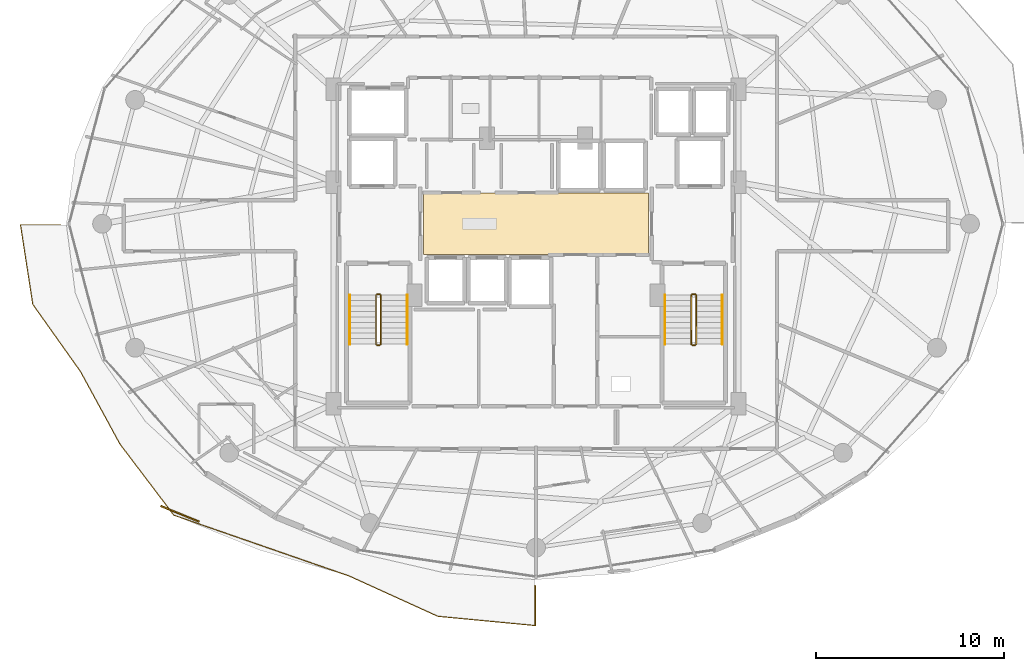
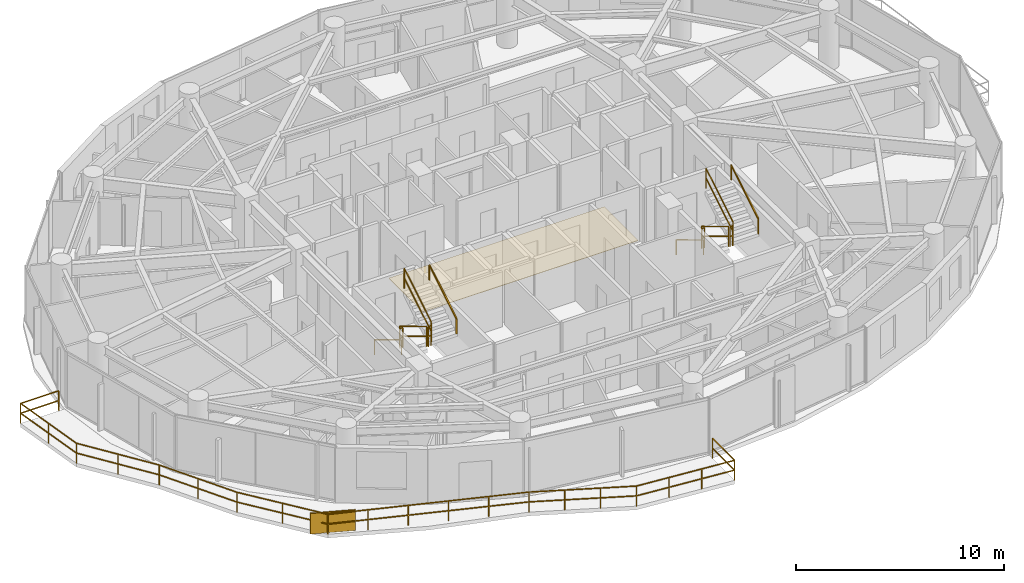
# One storey, part 26 of 28: 14 railings, 1 covering, 1 shading device.
"""IFC4 building model written with IfcOpenShell, lengths in metres."""

from ifc_helpers import new_model, si_unit, direction, frame, origin, origin_2d, place, context, subcontext, project, spatial, polyline, rectangle, outline, extrude, material, layer, layer_set, type_object, element, save


model = new_model("IFC4")

# Units and contexts
model_context = context("Model", 3, precision=1e-05, world=origin(), true_north=direction((0.0, 1.0)))
body_context = subcontext(model_context, "Body", "Model", "MODEL_VIEW")
ifc_project = project(units=[si_unit("LENGTHUNIT", "METRE"), si_unit("AREAUNIT", "SQUARE_METRE"), si_unit("VOLUMEUNIT", "CUBIC_METRE"), si_unit("PLANEANGLEUNIT", "RADIAN"), si_unit("MASSUNIT", "GRAM", prefix="KILO")], contexts=[model_context])

# Site, building, storey
site_placement = place(None, origin())
site = spatial("IfcSite", under=ifc_project, at=site_placement, CompositionType="ELEMENT")
building_placement = place(site_placement, origin())
building = spatial("IfcBuilding", under=site, at=building_placement, Name="Vorneva Point Tower", CompositionType="ELEMENT")
storey_placement = place(building_placement, frame((0.0, 0.0, 160.60009765625)))
storey = spatial("IfcBuildingStorey", under=building, at=storey_placement, Name="L43", CompositionType="ELEMENT", Elevation=160.60009765625)

# Covering
ifc_material_1 = material(Name="Acoustic wool hospitality carpet", Category="textile")
ifc_layer = layer(ifc_material_1, 0.01806640625)
ifc_layer_set = layer_set([ifc_layer], Name="Acoustic wool hospitality carpet")
covering_type = type_object("IfcCoveringType", Name="COV-FLR-CRP", PredefinedType="FLOORING", material=ifc_layer_set)
covering_placement = place(storey_placement, frame((0.0, 0.0, -0.005126953125)))
element("IfcCovering", 1, at=covering_placement, inside=storey, type_object=covering_type, Name="L43 Lift Lobby Floor Finish", PredefinedType="FLOORING", context=body_context, shape_type="SweptSolid", body=[
    extrude(outline(polyline([(32.02001953125, 24.3701171875), (43.97998046875, 24.3701171875), (43.97998046875, 27.6298828125), (32.02001953125, 27.6298828125), (32.02001953125, 24.3701171875)])), origin(), (0.0, 0.0, 1.0), 0.02294921875),
])

# Railings
ifc_material_2 = material(Name="Pale anodised aluminium", Category="aluminium")
railing_type_1 = type_object("IfcRailingType", Name="RL-BAL-1200", PredefinedType="BALUSTRADE", material=ifc_material_2)
railing_1_placement = place(storey_placement, frame((37.949951171875, 4.65966796875, 0.0)))
element("IfcRailing", 2, at=railing_1_placement, inside=storey, type_object=railing_type_1, Name="L43 Wave Balcony Balustrade SW.1", PredefinedType="BALUSTRADE", context=body_context, shape_type="SweptSolid", body=[
    extrude(rectangle(XDim=0.048095703125, YDim=0.048095703125, at=origin_2d()), frame((0.0, 0.0, 1.17578125), z_axis=(0.0, 1.0, 0.0), x_axis=(-1.0, 0.0, 0.0)), (0.0, 0.0, 1.0), 2.123046875),
    extrude(rectangle(XDim=0.048095703125, YDim=0.048095703125, at=origin_2d()), frame((0.0, 0.0, 0.60009765625), z_axis=(0.0, 1.0, 0.0), x_axis=(-1.0, 0.0, 0.0)), (0.0, 0.0, 1.0), 2.123046875),
    extrude(rectangle(XDim=0.0419921875, YDim=0.0419921875, at=origin_2d()), origin(), (0.0, 0.0, 1.0), 1.15185546875),
    extrude(rectangle(XDim=0.0419921875, YDim=0.0419921875, at=origin_2d()), frame((0.0, 2.123046875, 0.0)), (0.0, 0.0, 1.0), 1.15185546875),
])
railing_2_placement = place(storey_placement, frame((12.73388671875, 25.949951171875, 0.0)))
element("IfcRailing", 3, at=railing_2_placement, inside=storey, type_object=railing_type_1, Name="L43 Wave Balcony Balustrade SW.2", PredefinedType="BALUSTRADE", context=body_context, shape_type="SweptSolid", body=[
    extrude(rectangle(XDim=0.048095703125, YDim=0.048095703125, at=origin_2d()), frame((0.0, 0.0, 1.17578125), z_axis=(-1.0, 0.0, 0.0), x_axis=(0.0, -1.0, 0.0)), (0.0, 0.0, 1.0), 2.12109375),
    extrude(rectangle(XDim=0.048095703125, YDim=0.048095703125, at=origin_2d()), frame((0.0, 0.0, 0.60009765625), z_axis=(-1.0, 0.0, 0.0), x_axis=(0.0, -1.0, 0.0)), (0.0, 0.0, 1.0), 2.12109375),
    extrude(rectangle(XDim=0.048095703125, YDim=0.048095703125, at=origin_2d()), frame((-2.12109375, 0.0, 1.17578125), z_axis=(0.152819853891, -0.988254062606, 0.0), x_axis=(0.988254062606, 0.152819853891, 0.0)), (0.0, 0.0, 1.0), 4.281494140625),
    extrude(rectangle(XDim=0.048095703125, YDim=0.048095703125, at=origin_2d()), frame((-2.12109375, 0.0, 0.60009765625), z_axis=(0.152819853891, -0.988254062606, 0.0), x_axis=(0.988254062606, 0.152819853891, 0.0)), (0.0, 0.0, 1.0), 4.281494140625),
    extrude(rectangle(XDim=0.048095703125, YDim=0.048095703125, at=origin_2d()), frame((-1.466796875, -4.231201171875, 1.17578125), z_axis=(0.578792383577, -0.815474939354, 0.0), x_axis=(0.815474939354, 0.578792383577, 0.0)), (0.0, 0.0, 1.0), 4.385986328125),
    extrude(rectangle(XDim=0.048095703125, YDim=0.048095703125, at=origin_2d()), frame((-1.466796875, -4.231201171875, 0.60009765625), z_axis=(0.578792383577, -0.815474939354, 0.0), x_axis=(0.815474939354, 0.578792383577, 0.0)), (0.0, 0.0, 1.0), 4.385986328125),
    extrude(rectangle(XDim=0.048095703125, YDim=0.048095703125, at=origin_2d()), frame((1.07177734375, -7.807861328125, 1.17578125), z_axis=(0.47774095838, -0.878500755086, 0.0), x_axis=(0.878500755086, 0.47774095838, 0.0)), (0.0, 0.0, 1.0), 4.373291015625),
    extrude(rectangle(XDim=0.048095703125, YDim=0.048095703125, at=origin_2d()), frame((1.07177734375, -7.807861328125, 0.60009765625), z_axis=(0.47774095838, -0.878500755086, 0.0), x_axis=(0.878500755086, 0.47774095838, 0.0)), (0.0, 0.0, 1.0), 4.373291015625),
    extrude(rectangle(XDim=0.048095703125, YDim=0.048095703125, at=origin_2d()), frame((3.1611328125, -11.64990234375, 1.17578125), z_axis=(0.604031248899, -0.796960632876, 0.0), x_axis=(0.796960632876, 0.604031248899, 0.0)), (0.0, 0.0, 1.0), 4.739013671875),
    extrude(rectangle(XDim=0.048095703125, YDim=0.048095703125, at=origin_2d()), frame((3.1611328125, -11.64990234375, 0.60009765625), z_axis=(0.604031248899, -0.796960632876, 0.0), x_axis=(0.796960632876, 0.604031248899, 0.0)), (0.0, 0.0, 1.0), 4.739013671875),
    extrude(rectangle(XDim=0.048095703125, YDim=0.048095703125, at=origin_2d()), frame((6.023681640625, -15.4267578125, 1.17578125), z_axis=(0.944758021877, -0.327768638064, 0.0), x_axis=(0.327768638064, 0.944758021877, 0.0)), (0.0, 0.0, 1.0), 9.848388671875),
    extrude(rectangle(XDim=0.048095703125, YDim=0.048095703125, at=origin_2d()), frame((6.023681640625, -15.4267578125, 0.60009765625), z_axis=(0.944758021877, -0.327768638064, 0.0), x_axis=(0.327768638064, 0.944758021877, 0.0)), (0.0, 0.0, 1.0), 9.848388671875),
    extrude(rectangle(XDim=0.048095703125, YDim=0.048095703125, at=origin_2d()), frame((15.328125, -18.65478515625, 1.17578125), z_axis=(0.910479294849, -0.413554656184, 0.0), x_axis=(0.413554656184, 0.910479294849, 0.0)), (0.0, 0.0, 1.0), 5.186279296875),
    extrude(rectangle(XDim=0.048095703125, YDim=0.048095703125, at=origin_2d()), frame((15.328125, -18.65478515625, 0.60009765625), z_axis=(0.910479294849, -0.413554656184, 0.0), x_axis=(0.413554656184, 0.910479294849, 0.0)), (0.0, 0.0, 1.0), 5.186279296875),
    extrude(rectangle(XDim=0.048095703125, YDim=0.048095703125, at=origin_2d()), frame((20.050048828125, -20.799560546875, 1.17578125), z_axis=(0.995518701925, -0.094564867243, 0.0), x_axis=(0.094564867243, 0.995518701925, 0.0)), (0.0, 0.0, 1.0), 5.189208984375),
    extrude(rectangle(XDim=0.048095703125, YDim=0.048095703125, at=origin_2d()), frame((20.050048828125, -20.799560546875, 0.60009765625), z_axis=(0.995518701925, -0.094564867243, 0.0), x_axis=(0.094564867243, 0.995518701925, 0.0)), (0.0, 0.0, 1.0), 5.189208984375),
    extrude(rectangle(XDim=0.0419921875, YDim=0.0419921875, at=origin_2d()), origin(), (0.0, 0.0, 1.0), 1.15185546875),
    extrude(rectangle(XDim=0.0419921875, YDim=0.0419921875, at=origin_2d()), frame((-2.12109375, 0.0, 0.0)), (0.0, 0.0, 1.0), 1.15185546875),
    extrude(rectangle(XDim=0.0419921875, YDim=0.0419921875, at=origin_2d()), frame((-1.7939453125, -2.11572265625, 0.0)), (0.0, 0.0, 1.0), 1.15185546875),
    extrude(rectangle(XDim=0.0419921875, YDim=0.0419921875, at=origin_2d()), frame((-1.466796875, -4.231201171875, 0.0)), (0.0, 0.0, 1.0), 1.15185546875),
    extrude(rectangle(XDim=0.0419921875, YDim=0.0419921875, at=origin_2d()), frame((-0.197509765625, -6.01953125, 0.0)), (0.0, 0.0, 1.0), 1.15185546875),
    extrude(rectangle(XDim=0.0419921875, YDim=0.0419921875, at=origin_2d()), frame((1.07177734375, -7.807861328125, 0.0)), (0.0, 0.0, 1.0), 1.15185546875),
    extrude(rectangle(XDim=0.0419921875, YDim=0.0419921875, at=origin_2d()), frame((2.116455078125, -9.72900390625, 0.0)), (0.0, 0.0, 1.0), 1.15185546875),
    extrude(rectangle(XDim=0.0419921875, YDim=0.0419921875, at=origin_2d()), frame((3.1611328125, -11.64990234375, 0.0)), (0.0, 0.0, 1.0), 1.15185546875),
    extrude(rectangle(XDim=0.0419921875, YDim=0.0419921875, at=origin_2d()), frame((4.59228515625, -13.538330078125, 0.0)), (0.0, 0.0, 1.0), 1.15185546875),
    extrude(rectangle(XDim=0.0419921875, YDim=0.0419921875, at=origin_2d()), frame((6.023681640625, -15.4267578125, 0.0)), (0.0, 0.0, 1.0), 1.15185546875),
    extrude(rectangle(XDim=0.0419921875, YDim=0.0419921875, at=origin_2d()), frame((7.884521484375, -16.072265625, 0.0)), (0.0, 0.0, 1.0), 1.15185546875),
    extrude(rectangle(XDim=0.0419921875, YDim=0.0419921875, at=origin_2d()), frame((9.745361328125, -16.718017578125, 0.0)), (0.0, 0.0, 1.0), 1.15185546875),
    extrude(rectangle(XDim=0.0419921875, YDim=0.0419921875, at=origin_2d()), frame((11.6064453125, -17.363525390625, 0.0)), (0.0, 0.0, 1.0), 1.15185546875),
    extrude(rectangle(XDim=0.0419921875, YDim=0.0419921875, at=origin_2d()), frame((13.46728515625, -18.00927734375, 0.0)), (0.0, 0.0, 1.0), 1.15185546875),
    extrude(rectangle(XDim=0.0419921875, YDim=0.0419921875, at=origin_2d()), frame((15.328125, -18.65478515625, 0.0)), (0.0, 0.0, 1.0), 1.15185546875),
    extrude(rectangle(XDim=0.0419921875, YDim=0.0419921875, at=origin_2d()), frame((16.902099609375, -19.36962890625, 0.0)), (0.0, 0.0, 1.0), 1.15185546875),
    extrude(rectangle(XDim=0.0419921875, YDim=0.0419921875, at=origin_2d()), frame((18.47607421875, -20.084716796875, 0.0)), (0.0, 0.0, 1.0), 1.15185546875),
    extrude(rectangle(XDim=0.0419921875, YDim=0.0419921875, at=origin_2d()), frame((20.050048828125, -20.799560546875, 0.0)), (0.0, 0.0, 1.0), 1.15185546875),
    extrude(rectangle(XDim=0.0419921875, YDim=0.0419921875, at=origin_2d()), frame((21.77197265625, -20.963134765625, 0.0)), (0.0, 0.0, 1.0), 1.15185546875),
    extrude(rectangle(XDim=0.0419921875, YDim=0.0419921875, at=origin_2d()), frame((23.494140625, -21.126708984375, 0.0)), (0.0, 0.0, 1.0), 1.15185546875),
    extrude(rectangle(XDim=0.0419921875, YDim=0.0419921875, at=origin_2d()), frame((25.216064453125, -21.290283203125, 0.0)), (0.0, 0.0, 1.0), 1.15185546875),
])
ifc_material_3 = material(Name="Brushed stainless steel S304", Category="steel")
railing_type_2 = type_object("IfcRailingType", Name="RL-HND-920", PredefinedType="HANDRAIL", material=ifc_material_3)
railing_3_placement = place(storey_placement, frame((28.10009765625, 22.219970703125, 0.1748046875)))
element("IfcRailing", 4, at=railing_3_placement, inside=storey, type_object=railing_type_2, Name="L43 ST1 stair handrail 1", PredefinedType="HANDRAIL", context=body_context, shape_type="SweptSolid", body=[
    extrude(rectangle(XDim=0.048095703125, YDim=0.048095703125, at=origin_2d()), frame((0.0, 0.0, 0.8759765625), z_axis=(0.0, -0.856147343639, 0.516731773728), x_axis=(1.0, 0.0, 0.0)), (0.0, 0.0, 1.0), 3.04833984375),
    extrude(rectangle(XDim=0.0419921875, YDim=0.0419921875, at=origin_2d()), origin(), (0.0, 0.0, 1.0), 0.851806640625),
    extrude(rectangle(XDim=0.0419921875, YDim=0.0419921875, at=origin_2d()), frame((0.0, -2.60986328125, 1.5751953125)), (0.0, 0.0, 1.0), 0.851806640625),
])
railing_4_placement = place(storey_placement, frame((31.14990234375, 19.610107421875, 1.9248046875)))
element("IfcRailing", 5, at=railing_4_placement, inside=storey, type_object=railing_type_2, Name="L43 ST1 stair handrail 2", PredefinedType="HANDRAIL", context=body_context, shape_type="SweptSolid", body=[
    extrude(rectangle(XDim=0.048095703125, YDim=0.048095703125, at=origin_2d()), frame((0.0, 0.0, 0.8759765625), z_axis=(0.0, 0.856147343639, 0.516731773728), x_axis=(-1.0, 0.0, 0.0)), (0.0, 0.0, 1.0), 3.04833984375),
    extrude(rectangle(XDim=0.0419921875, YDim=0.0419921875, at=origin_2d()), origin(), (0.0, 0.0, 1.0), 0.851806640625),
    extrude(rectangle(XDim=0.0419921875, YDim=0.0419921875, at=origin_2d()), frame((0.0, 2.60986328125, 1.5751953125)), (0.0, 0.0, 1.0), 0.851806640625),
])
railing_5_placement = place(storey_placement, frame((44.85009765625, 22.219970703125, 0.1748046875)))
element("IfcRailing", 6, at=railing_5_placement, inside=storey, type_object=railing_type_2, Name="L43 ST2 stair handrail 1", PredefinedType="HANDRAIL", context=body_context, shape_type="SweptSolid", body=[
    extrude(rectangle(XDim=0.048095703125, YDim=0.048095703125, at=origin_2d()), frame((0.0, 0.0, 0.8759765625), z_axis=(0.0, -0.856147343639, 0.516731773728), x_axis=(1.0, 0.0, 0.0)), (0.0, 0.0, 1.0), 3.04833984375),
    extrude(rectangle(XDim=0.0419921875, YDim=0.0419921875, at=origin_2d()), origin(), (0.0, 0.0, 1.0), 0.851806640625),
    extrude(rectangle(XDim=0.0419921875, YDim=0.0419921875, at=origin_2d()), frame((0.0, -2.60986328125, 1.5751953125)), (0.0, 0.0, 1.0), 0.851806640625),
])
railing_6_placement = place(storey_placement, frame((47.89990234375, 19.610107421875, 1.9248046875)))
element("IfcRailing", 7, at=railing_6_placement, inside=storey, type_object=railing_type_2, Name="L43 ST2 stair handrail 2", PredefinedType="HANDRAIL", context=body_context, shape_type="SweptSolid", body=[
    extrude(rectangle(XDim=0.048095703125, YDim=0.048095703125, at=origin_2d()), frame((0.0, 0.0, 0.8759765625), z_axis=(0.0, 0.856147343639, 0.516731773728), x_axis=(-1.0, 0.0, 0.0)), (0.0, 0.0, 1.0), 3.04833984375),
    extrude(rectangle(XDim=0.0419921875, YDim=0.0419921875, at=origin_2d()), origin(), (0.0, 0.0, 1.0), 0.851806640625),
    extrude(rectangle(XDim=0.0419921875, YDim=0.0419921875, at=origin_2d()), frame((0.0, 2.60986328125, 1.5751953125)), (0.0, 0.0, 1.0), 0.851806640625),
])
railing_type_3 = type_object("IfcRailingType", Name="RL-STG-1100", PredefinedType="GUARDRAIL", material=ifc_material_3)
railing_7_placement = place(storey_placement, frame((29.5, 22.219970703125, 0.1748046875)))
element("IfcRailing", 8, at=railing_7_placement, inside=storey, type_object=railing_type_3, Name="L43 ST1 stair guard 1", PredefinedType="GUARDRAIL", context=body_context, shape_type="SweptSolid", body=[
    extrude(rectangle(XDim=0.048095703125, YDim=0.048095703125, at=origin_2d()), frame((0.0, 0.0, 1.17578125), z_axis=(0.0, -0.856147343639, 0.516731773728), x_axis=(1.0, 0.0, 0.0)), (0.0, 0.0, 1.0), 3.04833984375),
    extrude(rectangle(XDim=0.048095703125, YDim=0.048095703125, at=origin_2d()), frame((0.0, 0.0, 0.60009765625), z_axis=(0.0, -0.856147343639, 0.516731773728), x_axis=(1.0, 0.0, 0.0)), (0.0, 0.0, 1.0), 3.04833984375),
    extrude(rectangle(XDim=0.0419921875, YDim=0.0419921875, at=origin_2d()), origin(), (0.0, 0.0, 1.0), 1.15185546875),
    extrude(rectangle(XDim=0.0419921875, YDim=0.0419921875, at=origin_2d()), frame((0.0, -2.60986328125, 1.5751953125)), (0.0, 0.0, 1.0), 1.15185546875),
])
railing_8_placement = place(storey_placement, frame((29.550048828125, 19.56005859375, 1.75)))
element("IfcRailing", 9, at=railing_8_placement, inside=storey, type_object=railing_type_3, Name="L43 ST1 stair guard 2", PredefinedType="GUARDRAIL", context=body_context, shape_type="SweptSolid", body=[
    extrude(rectangle(XDim=0.048095703125, YDim=0.048095703125, at=origin_2d()), frame((0.0, 0.0, 1.17578125), z_axis=(1.0, 0.0, 0.0), x_axis=(0.0, 1.0, 0.0)), (0.0, 0.0, 1.0), 0.14990234375),
    extrude(rectangle(XDim=0.048095703125, YDim=0.048095703125, at=origin_2d()), frame((0.0, 0.0, 0.60009765625), z_axis=(1.0, 0.0, 0.0), x_axis=(0.0, 1.0, 0.0)), (0.0, 0.0, 1.0), 0.14990234375),
    extrude(rectangle(XDim=0.0419921875, YDim=0.0419921875, at=origin_2d()), origin(), (0.0, 0.0, 1.0), 1.15185546875),
    extrude(rectangle(XDim=0.0419921875, YDim=0.0419921875, at=origin_2d()), frame((0.14990234375, 0.0, 0.0)), (0.0, 0.0, 1.0), 1.15185546875),
])
railing_9_placement = place(storey_placement, frame((29.75, 19.610107421875, 1.9248046875)))
element("IfcRailing", 10, at=railing_9_placement, inside=storey, type_object=railing_type_3, Name="L43 ST1 stair guard 3", PredefinedType="GUARDRAIL", context=body_context, shape_type="SweptSolid", body=[
    extrude(rectangle(XDim=0.048095703125, YDim=0.048095703125, at=origin_2d()), frame((0.0, 0.0, 1.17578125), z_axis=(0.0, 0.856147343639, 0.516731773728), x_axis=(-1.0, 0.0, 0.0)), (0.0, 0.0, 1.0), 3.04833984375),
    extrude(rectangle(XDim=0.048095703125, YDim=0.048095703125, at=origin_2d()), frame((0.0, 0.0, 0.60009765625), z_axis=(0.0, 0.856147343639, 0.516731773728), x_axis=(-1.0, 0.0, 0.0)), (0.0, 0.0, 1.0), 3.04833984375),
    extrude(rectangle(XDim=0.0419921875, YDim=0.0419921875, at=origin_2d()), origin(), (0.0, 0.0, 1.0), 1.15185546875),
    extrude(rectangle(XDim=0.0419921875, YDim=0.0419921875, at=origin_2d()), frame((0.0, 2.60986328125, 1.5751953125)), (0.0, 0.0, 1.0), 1.15185546875),
])
railing_10_placement = place(storey_placement, frame((29.550048828125, 22.27001953125, 0.0)))
element("IfcRailing", 11, at=railing_10_placement, inside=storey, type_object=railing_type_3, Name="L43 ST1 stair guard 4", PredefinedType="GUARDRAIL", context=body_context, shape_type="SweptSolid", body=[
    extrude(rectangle(XDim=0.048095703125, YDim=0.048095703125, at=origin_2d()), frame((0.0, 0.0, 1.17578125), z_axis=(1.0, 0.0, 0.0), x_axis=(0.0, 1.0, 0.0)), (0.0, 0.0, 1.0), 0.14990234375),
    extrude(rectangle(XDim=0.048095703125, YDim=0.048095703125, at=origin_2d()), frame((0.0, 0.0, 0.60009765625), z_axis=(1.0, 0.0, 0.0), x_axis=(0.0, 1.0, 0.0)), (0.0, 0.0, 1.0), 0.14990234375),
    extrude(rectangle(XDim=0.0419921875, YDim=0.0419921875, at=origin_2d()), origin(), (0.0, 0.0, 1.0), 1.15185546875),
    extrude(rectangle(XDim=0.0419921875, YDim=0.0419921875, at=origin_2d()), frame((0.14990234375, 0.0, 0.0)), (0.0, 0.0, 1.0), 1.15185546875),
])
railing_11_placement = place(storey_placement, frame((46.25, 22.219970703125, 0.1748046875)))
element("IfcRailing", 12, at=railing_11_placement, inside=storey, type_object=railing_type_3, Name="L43 ST2 stair guard 1", PredefinedType="GUARDRAIL", context=body_context, shape_type="SweptSolid", body=[
    extrude(rectangle(XDim=0.048095703125, YDim=0.048095703125, at=origin_2d()), frame((0.0, 0.0, 1.17578125), z_axis=(0.0, -0.856147343639, 0.516731773728), x_axis=(1.0, 0.0, 0.0)), (0.0, 0.0, 1.0), 3.04833984375),
    extrude(rectangle(XDim=0.048095703125, YDim=0.048095703125, at=origin_2d()), frame((0.0, 0.0, 0.60009765625), z_axis=(0.0, -0.856147343639, 0.516731773728), x_axis=(1.0, 0.0, 0.0)), (0.0, 0.0, 1.0), 3.04833984375),
    extrude(rectangle(XDim=0.0419921875, YDim=0.0419921875, at=origin_2d()), origin(), (0.0, 0.0, 1.0), 1.15185546875),
    extrude(rectangle(XDim=0.0419921875, YDim=0.0419921875, at=origin_2d()), frame((0.0, -2.60986328125, 1.5751953125)), (0.0, 0.0, 1.0), 1.15185546875),
])
railing_12_placement = place(storey_placement, frame((46.300048828125, 19.56005859375, 1.75)))
element("IfcRailing", 13, at=railing_12_placement, inside=storey, type_object=railing_type_3, Name="L43 ST2 stair guard 2", PredefinedType="GUARDRAIL", context=body_context, shape_type="SweptSolid", body=[
    extrude(rectangle(XDim=0.048095703125, YDim=0.048095703125, at=origin_2d()), frame((0.0, 0.0, 1.17578125), z_axis=(1.0, 0.0, 0.0), x_axis=(0.0, 1.0, 0.0)), (0.0, 0.0, 1.0), 0.14990234375),
    extrude(rectangle(XDim=0.048095703125, YDim=0.048095703125, at=origin_2d()), frame((0.0, 0.0, 0.60009765625), z_axis=(1.0, 0.0, 0.0), x_axis=(0.0, 1.0, 0.0)), (0.0, 0.0, 1.0), 0.14990234375),
    extrude(rectangle(XDim=0.0419921875, YDim=0.0419921875, at=origin_2d()), origin(), (0.0, 0.0, 1.0), 1.15185546875),
    extrude(rectangle(XDim=0.0419921875, YDim=0.0419921875, at=origin_2d()), frame((0.14990234375, 0.0, 0.0)), (0.0, 0.0, 1.0), 1.15185546875),
])
railing_13_placement = place(storey_placement, frame((46.5, 19.610107421875, 1.9248046875)))
element("IfcRailing", 14, at=railing_13_placement, inside=storey, type_object=railing_type_3, Name="L43 ST2 stair guard 3", PredefinedType="GUARDRAIL", context=body_context, shape_type="SweptSolid", body=[
    extrude(rectangle(XDim=0.048095703125, YDim=0.048095703125, at=origin_2d()), frame((0.0, 0.0, 1.17578125), z_axis=(0.0, 0.856147343639, 0.516731773728), x_axis=(-1.0, 0.0, 0.0)), (0.0, 0.0, 1.0), 3.04833984375),
    extrude(rectangle(XDim=0.048095703125, YDim=0.048095703125, at=origin_2d()), frame((0.0, 0.0, 0.60009765625), z_axis=(0.0, 0.856147343639, 0.516731773728), x_axis=(-1.0, 0.0, 0.0)), (0.0, 0.0, 1.0), 3.04833984375),
    extrude(rectangle(XDim=0.0419921875, YDim=0.0419921875, at=origin_2d()), origin(), (0.0, 0.0, 1.0), 1.15185546875),
    extrude(rectangle(XDim=0.0419921875, YDim=0.0419921875, at=origin_2d()), frame((0.0, 2.60986328125, 1.5751953125)), (0.0, 0.0, 1.0), 1.15185546875),
])
railing_14_placement = place(storey_placement, frame((46.300048828125, 22.27001953125, 0.0)))
element("IfcRailing", 15, at=railing_14_placement, inside=storey, type_object=railing_type_3, Name="L43 ST2 stair guard 4", PredefinedType="GUARDRAIL", context=body_context, shape_type="SweptSolid", body=[
    extrude(rectangle(XDim=0.048095703125, YDim=0.048095703125, at=origin_2d()), frame((0.0, 0.0, 1.17578125), z_axis=(1.0, 0.0, 0.0), x_axis=(0.0, 1.0, 0.0)), (0.0, 0.0, 1.0), 0.14990234375),
    extrude(rectangle(XDim=0.048095703125, YDim=0.048095703125, at=origin_2d()), frame((0.0, 0.0, 0.60009765625), z_axis=(1.0, 0.0, 0.0), x_axis=(0.0, 1.0, 0.0)), (0.0, 0.0, 1.0), 0.14990234375),
    extrude(rectangle(XDim=0.0419921875, YDim=0.0419921875, at=origin_2d()), origin(), (0.0, 0.0, 1.0), 1.15185546875),
    extrude(rectangle(XDim=0.0419921875, YDim=0.0419921875, at=origin_2d()), frame((0.14990234375, 0.0, 0.0)), (0.0, 0.0, 1.0), 1.15185546875),
])

# Shading device
shading_device_type = type_object("IfcShadingDeviceType", Name="SHD-JAL-1200", PredefinedType="JALOUSIE", material=ifc_material_2)
shading_device_placement = place(storey_placement, frame((19.083984375, 10.598876953125, -0.02001953125), z_axis=(0.0, 0.0, 1.0), x_axis=(0.926272328518, -0.376854843968, 0.0)))
element("IfcShadingDevice", 16, at=shading_device_placement, inside=storey, type_object=shading_device_type, Name="L43 Balcony Vertical-Greenery Planter Screen SW.2", PredefinedType="JALOUSIE", context=body_context, shape_type="SweptSolid", body=[
    extrude(rectangle(XDim=2.199951171875, YDim=0.080078125, at=origin_2d()), origin(), (0.0, 0.0, 1.0), 1.199951171875),
])

save(model, "model.ifc")
